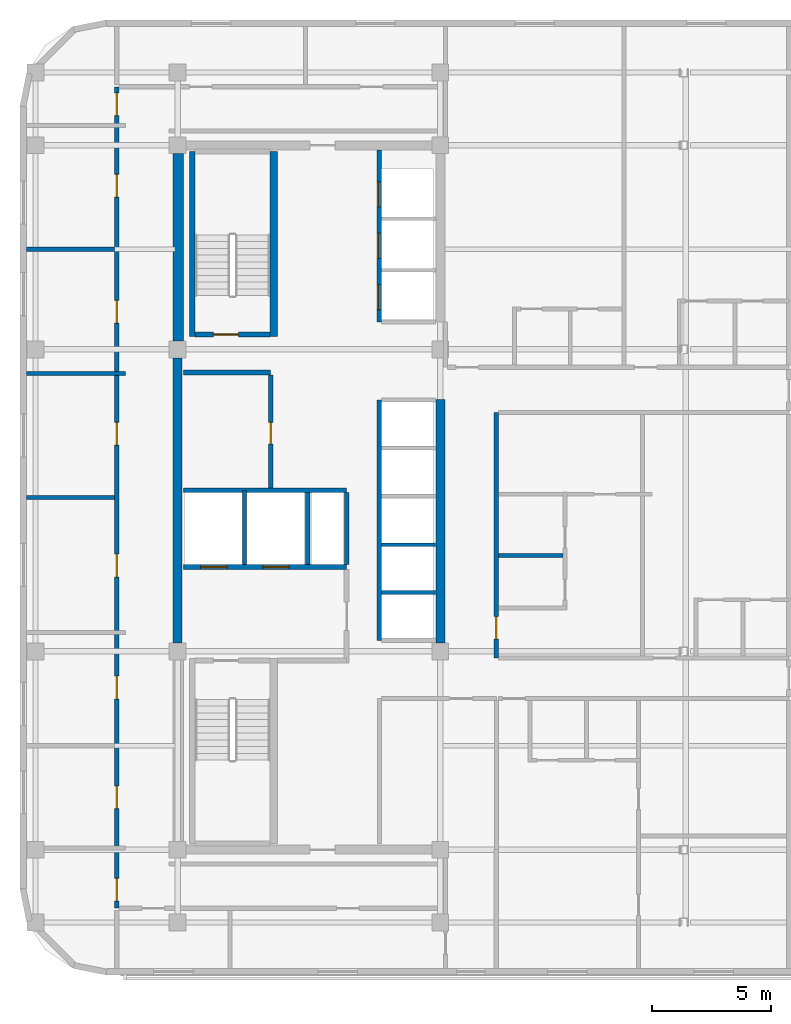
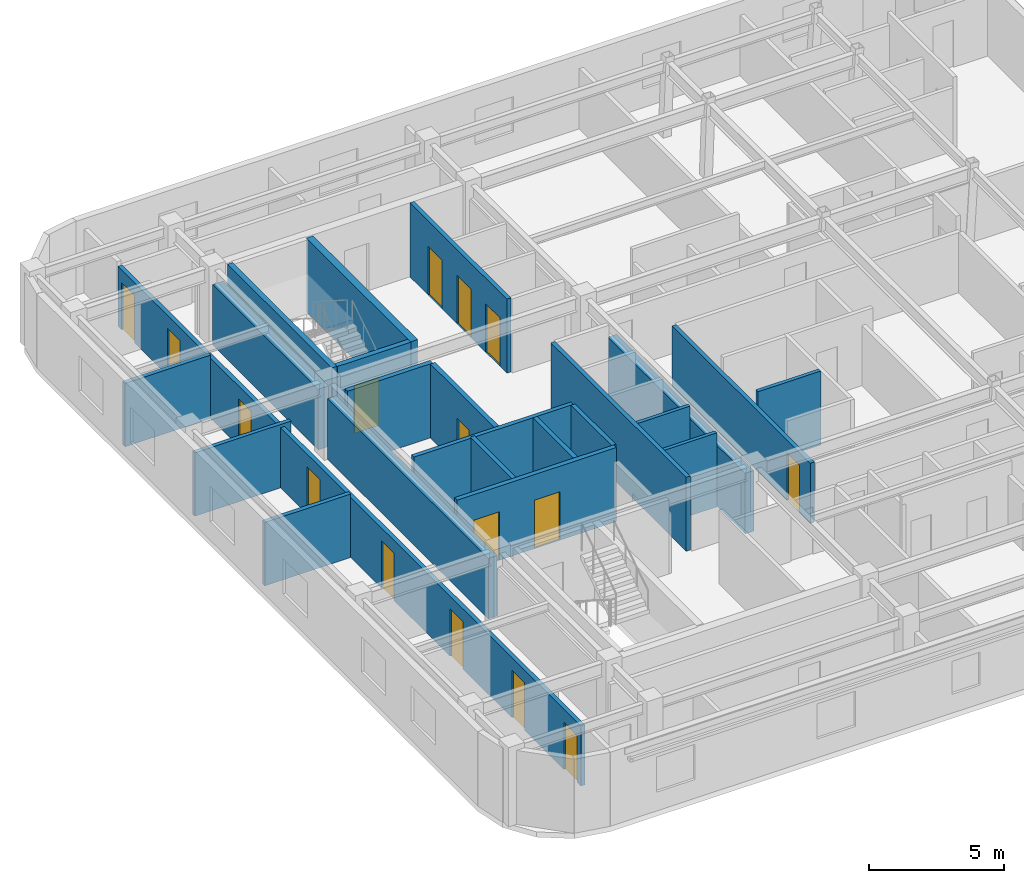
# One storey, part 5 of 11: 23 walls, 16 doors, 16 openings.
"""IFC4 building model written with IfcOpenShell, lengths in metres."""

from ifc_helpers import new_model, si_unit, direction, frame, frame_2d, origin, place, context, subcontext, project, spatial, rectangle, extrude, material, layer, layer_set, type_object, element, fill, save


model = new_model("IFC4")

# Units and contexts
model_context = context("Model", 3, precision=1e-05, world=origin(), true_north=direction((0.0, 1.0)))
body_context = subcontext(model_context, "Body", "Model", "MODEL_VIEW")
ifc_project = project(units=[si_unit("LENGTHUNIT", "METRE"), si_unit("AREAUNIT", "SQUARE_METRE"), si_unit("VOLUMEUNIT", "CUBIC_METRE"), si_unit("PLANEANGLEUNIT", "RADIAN"), si_unit("MASSUNIT", "GRAM", prefix="KILO")], contexts=[model_context])

# Site, building, storey
site_placement = place(None, origin())
site = spatial("IfcSite", under=ifc_project, at=site_placement, CompositionType="ELEMENT")
building_placement = place(site_placement, origin())
building = spatial("IfcBuilding", under=site, at=building_placement, Name="Ochreholt Gables", CompositionType="ELEMENT")
storey_placement = place(building_placement, frame((0.0, 0.0, 155.39990234375)))
storey = spatial("IfcBuildingStorey", under=building, at=storey_placement, Name="L40", CompositionType="ELEMENT", Elevation=155.39990234375)

# Walls
ifc_material_1 = material(Name="Concrete 50 MPa", Category="concrete")
ifc_layer_1 = layer(ifc_material_1, 0.3798828125, Name="Concrete 50 MPa")
ifc_layer_set_1 = layer_set([ifc_layer_1], Name="Concrete 50 MPa")
wall_type_1 = type_object("IfcWallType", Name="WALL-CSW-380", PredefinedType="SHEAR", material=ifc_layer_set_1)
wall_1_placement = place(storey_placement, frame((24.18994140625, 17.89990234375, 0.0), z_axis=(0.0, 0.0, 1.0), x_axis=(0.0, 1.0, 0.0)))
element("IfcWall", 1, at=wall_1_placement, inside=storey, type_object=wall_type_1, Name="L40 Core West Shear Wall WM", PredefinedType="SHEAR", context=body_context, shape_type="SweptSolid", body=[
    extrude(rectangle(XDim=11.9501953125, YDim=0.3798828125, at=frame_2d((5.97509765625, 0.0))), origin(), (0.0, 0.0, 1.0), 2.748046875),
])
wall_2_placement = place(storey_placement, frame((35.2099609375, 17.89990234375, 0.0), z_axis=(0.0, 0.0, 1.0), x_axis=(0.0, 1.0, 0.0)))
element("IfcWall", 2, at=wall_2_placement, inside=storey, type_object=wall_type_1, Name="L40 Core Central-East Shear Wall", PredefinedType="SHEAR", context=body_context, shape_type="SweptSolid", body=[
    extrude(rectangle(XDim=10.2001953125, YDim=0.3798828125, at=frame_2d((5.10009765625, 0.0))), origin(), (0.0, 0.0, 1.0), 2.748046875),
])
ifc_material_2 = material(Name="Concrete 60 MPa", Category="concrete")
ifc_layer_2 = layer(ifc_material_2, 0.449951171875, Name="Concrete 60 MPa")
ifc_layer_set_2 = layer_set([ifc_layer_2], Name="Concrete 60 MPa")
wall_type_2 = type_object("IfcWallType", Name="WALL-CSW-450", PredefinedType="SHEAR", material=ifc_layer_set_2)
wall_3_placement = place(storey_placement, frame((24.22509765625, 30.550048828125, 0.0), z_axis=(0.0, 0.0, 1.0), x_axis=(0.0, 1.0, 0.0)))
element("IfcWall", 3, at=wall_3_placement, inside=storey, type_object=wall_type_2, Name="L40 Core West Shear Wall WN", PredefinedType="SHEAR", context=body_context, shape_type="SweptSolid", body=[
    extrude(rectangle(XDim=7.849853515625, YDim=0.449951171875, at=frame_2d((3.9248046875, 0.0))), origin(), (0.0, 0.0, 1.0), 2.748046875),
])

# Wall, openings, doors
ifc_material_3 = material(Name="Concrete 40 MPa", Category="concrete")
ifc_layer_3 = layer(ifc_material_3, 0.199951171875, Name="Concrete 40 MPa")
ifc_layer_set_3 = layer_set([ifc_layer_3], Name="Concrete 40 MPa")
wall_type_3 = type_object("IfcWallType", Name="WALL-INT-CF200", PredefinedType="STANDARD", material=ifc_layer_set_3)
wall_4_placement = place(storey_placement, frame((24.449951171875, 21.090087890625, 0.0), z_axis=(0.0, 0.0, 1.0), x_axis=(1.0, 0.0, 0.0)))
wall_4 = element("IfcWall", 4, at=wall_4_placement, inside=storey, type_object=wall_type_3, Name="L40 Interior Wall WI-FFN-L40", PredefinedType="STANDARD", context=body_context, shape_type="SweptSolid", body=[
    extrude(rectangle(XDim=6.830078125, YDim=0.199951171875, at=frame_2d((3.4150390625, 0.0))), origin(), (0.0, 0.0, 1.0), 3.360107421875),
])
opening_1_placement = place(wall_4_placement, frame((0.719970703125, 0.0, 0.0)))
opening_1 = element("IfcOpeningElement", 5, at=opening_1_placement, cuts=wall_4, Name="Opening LD-FF", PredefinedType="OPENING", context=body_context, shape_type="SweptSolid", body=[
    extrude(rectangle(XDim=1.10009765625, YDim=2.199951171875, at=frame_2d((0.550048828125, 1.10009765625))), frame((0.0, 0.10986328125, 0.0), z_axis=(0.0, -1.0, 0.0), x_axis=(1.0, 0.0, 0.0)), (0.0, 0.0, 1.0), 0.219970703125),
])
opening_2_placement = place(wall_4_placement, frame((3.320068359375, 0.0, 0.0)))
opening_2 = element("IfcOpeningElement", 6, at=opening_2_placement, cuts=wall_4, Name="Opening LD-FF", PredefinedType="OPENING", context=body_context, shape_type="SweptSolid", body=[
    extrude(rectangle(XDim=1.10009765625, YDim=2.199951171875, at=frame_2d((0.550048828125, 1.10009765625))), frame((0.0, 0.10986328125, 0.0), z_axis=(0.0, -1.0, 0.0), x_axis=(1.0, 0.0, 0.0)), (0.0, 0.0, 1.0), 0.219970703125),
])
ifc_material_4 = material(Name="Stainless Steel", Category="steel")
door_type_1 = type_object("IfcDoorType", Name="DR-LFT-FF1100", OperationType="NOTDEFINED", PredefinedType="DOOR", material=ifc_material_4)
door_1_placement = place(opening_1_placement, origin())
door_1 = element("IfcDoor", 7, at=door_1_placement, inside=storey, type_object=door_type_1, Name="L40 Door LD-FF1-L40", OperationType="SLIDING_TO_LEFT", OverallHeight=2.199951171875, OverallWidth=1.10009765625, PredefinedType="DOOR", context=body_context, shape_type="SweptSolid", body=[
    extrude(rectangle(XDim=1.10009765625, YDim=2.199951171875, at=frame_2d((0.550048828125, 1.10009765625))), frame((0.0, 0.02490234375, 0.0), z_axis=(0.0, -1.0, 0.0), x_axis=(1.0, 0.0, 0.0)), (0.0, 0.0, 1.0), 0.050048828125),
])
fill(opening_1, door_1)
door_2_placement = place(opening_2_placement, origin())
door_2 = element("IfcDoor", 8, at=door_2_placement, inside=storey, type_object=door_type_1, Name="L40 Door LD-FF2-L40", OperationType="SLIDING_TO_LEFT", OverallHeight=2.199951171875, OverallWidth=1.10009765625, PredefinedType="DOOR", context=body_context, shape_type="SweptSolid", body=[
    extrude(rectangle(XDim=1.10009765625, YDim=2.199951171875, at=frame_2d((0.550048828125, 1.10009765625))), frame((0.0, 0.02490234375, 0.0), z_axis=(0.0, -1.0, 0.0), x_axis=(1.0, 0.0, 0.0)), (0.0, 0.0, 1.0), 0.050048828125),
])
fill(opening_2, door_2)

# Wall
wall_5_placement = place(storey_placement, frame((24.449951171875, 29.239990234375, 0.0), z_axis=(0.0, 0.0, 1.0), x_axis=(1.0, 0.0, 0.0)))
element("IfcWall", 9, at=wall_5_placement, inside=storey, type_object=wall_type_3, Name="L40 Interior Wall WI-SRVN-L40", PredefinedType="STANDARD", context=body_context, shape_type="SweptSolid", body=[
    extrude(rectangle(XDim=3.650146484375, YDim=0.199951171875, at=frame_2d((1.8251953125, 0.0))), origin(), (0.0, 0.0, 1.0), 3.360107421875),
])

# Wall, opening, door
wall_6_placement = place(storey_placement, frame((28.10009765625, 24.389892578125, 0.0), z_axis=(0.0, 0.0, 1.0), x_axis=(0.0, 1.0, 0.0)))
wall_6 = element("IfcWall", 10, at=wall_6_placement, inside=storey, type_object=wall_type_3, Name="L40 Interior Wall WI-SRVE-L40", PredefinedType="STANDARD", context=body_context, shape_type="SweptSolid", body=[
    extrude(rectangle(XDim=4.75, YDim=0.199951171875, at=frame_2d((2.375, 0.0))), origin(), (0.0, 0.0, 1.0), 3.360107421875),
])
opening_3_placement = place(wall_6_placement, frame((1.860107421875, 0.0, 0.0)))
opening_3 = element("IfcOpeningElement", 11, at=opening_3_placement, cuts=wall_6, Name="Opening D-SV1", PredefinedType="OPENING", context=body_context, shape_type="SweptSolid", body=[
    extrude(rectangle(XDim=0.89990234375, YDim=2.10009765625, at=frame_2d((0.449951171875, 1.050048828125))), frame((0.0, 0.10986328125, 0.0), z_axis=(0.0, -1.0, 0.0), x_axis=(1.0, 0.0, 0.0)), (0.0, 0.0, 1.0), 0.219970703125),
])
ifc_material_5 = material(Name="Hollow Metal Steel", Category="steel")
door_type_2 = type_object("IfcDoorType", Name="DR-INT-SRV900", OperationType="NOTDEFINED", PredefinedType="DOOR", material=ifc_material_5)
door_3_placement = place(opening_3_placement, origin())
door_3 = element("IfcDoor", 12, at=door_3_placement, inside=storey, type_object=door_type_2, Name="L40 Door D-SRV1-L40", OperationType="SINGLE_SWING_LEFT", OverallHeight=2.10009765625, OverallWidth=0.89990234375, PredefinedType="DOOR", context=body_context, shape_type="SweptSolid", body=[
    extrude(rectangle(XDim=0.89990234375, YDim=2.10009765625, at=frame_2d((0.449951171875, 1.050048828125))), frame((0.0, 0.02490234375, 0.0), z_axis=(0.0, -1.0, 0.0), x_axis=(1.0, 0.0, 0.0)), (0.0, 0.0, 1.0), 0.050048828125),
])
fill(opening_3, door_3)

ifc_material_6 = material(Name="Fire-Rated Gypsum Acoustic Partition", Category="gypsum")
ifc_layer_4 = layer(ifc_material_6, 0.179931640625, Name="Fire-Rated Gypsum Acoustic Partition")
ifc_layer_set_4 = layer_set([ifc_layer_4], Name="Fire-Rated Gypsum Acoustic Partition")
wall_type_4 = type_object("IfcWallType", Name="WALL-INT-CR180", PredefinedType="STANDARD", material=ifc_layer_set_4)
wall_7_placement = place(storey_placement, frame((37.550048828125, 17.280029296875, 0.0), z_axis=(0.0, 0.0, 1.0), x_axis=(0.0, 1.0, 0.0)))
wall_7 = element("IfcWall", 13, at=wall_7_placement, inside=storey, type_object=wall_type_4, Name="L40 Interior Wall WI-C2EM-L40", PredefinedType="STANDARD", context=body_context, shape_type="SweptSolid", body=[
    extrude(rectangle(XDim=10.280029296875, YDim=0.179931640625, at=frame_2d((5.14013671875, 0.0))), origin(), (0.0, 0.0, 1.0), 2.72998046875),
])
opening_4_placement = place(wall_7_placement, frame((0.79296875, 0.0, 0.0)))
opening_4 = element("IfcOpeningElement", 14, at=opening_4_placement, cuts=wall_7, Name="Opening D-UN2", PredefinedType="OPENING", context=body_context, shape_type="SweptSolid", body=[
    extrude(rectangle(XDim=0.93994140625, YDim=2.14990234375, at=frame_2d((0.469970703125, 1.074951171875))), frame((0.0, 0.099853515625, 0.0), z_axis=(0.0, -1.0, 0.0), x_axis=(1.0, 0.0, 0.0)), (0.0, 0.0, 1.0), 0.199951171875),
])
ifc_material_7 = material(Name="Engineered Oak Timber", Category="wood")
door_type_3 = type_object("IfcDoorType", Name="DR-INT-UNT940", OperationType="NOTDEFINED", PredefinedType="DOOR", material=ifc_material_7)
door_4_placement = place(opening_4_placement, origin())
door_4 = element("IfcDoor", 15, at=door_4_placement, inside=storey, type_object=door_type_3, Name="L40 Door D-U-L40M1-ENT", OperationType="SINGLE_SWING_LEFT", OverallHeight=2.14990234375, OverallWidth=0.93994140625, PredefinedType="DOOR", context=body_context, shape_type="SweptSolid", body=[
    extrude(rectangle(XDim=0.93994140625, YDim=2.14990234375, at=frame_2d((0.469970703125, 1.074951171875))), frame((0.0, 0.02490234375, 0.0), z_axis=(0.0, -1.0, 0.0), x_axis=(1.0, 0.0, 0.0)), (0.0, 0.0, 1.0), 0.050048828125),
])
fill(opening_4, door_4)

# Wall, openings, doors
wall_8_placement = place(storey_placement, frame((21.64990234375, 6.800048828125, 0.0), z_axis=(0.0, 0.0, 1.0), x_axis=(0.0, 1.0, 0.0)))
wall_8 = element("IfcWall", 16, at=wall_8_placement, inside=storey, type_object=wall_type_4, Name="L40 Interior Wall WI-C2WCW-L40", PredefinedType="STANDARD", context=body_context, shape_type="SweptSolid", body=[
    extrude(rectangle(XDim=34.39990234375, YDim=0.179931640625, at=frame_2d((17.199951171875, 0.0))), origin(), (0.0, 0.0, 1.0), 2.72998046875),
])
opening_5_placement = place(wall_8_placement, frame((0.300048828125, 0.0, 0.0)))
opening_5 = element("IfcOpeningElement", 17, at=opening_5_placement, cuts=wall_8, Name="Opening D-GN1", PredefinedType="OPENING", context=body_context, shape_type="SweptSolid", body=[
    extrude(rectangle(XDim=0.949951171875, YDim=2.14990234375, at=frame_2d((0.47509765625, 1.074951171875))), frame((0.0, 0.099853515625, 0.0), z_axis=(0.0, -1.0, 0.0), x_axis=(1.0, 0.0, 0.0)), (0.0, 0.0, 1.0), 0.199951171875),
])
opening_6_placement = place(wall_8_placement, frame((4.16748046875, 0.0, 0.0)))
opening_6 = element("IfcOpeningElement", 18, at=opening_6_placement, cuts=wall_8, Name="Opening D-GN1", PredefinedType="OPENING", context=body_context, shape_type="SweptSolid", body=[
    extrude(rectangle(XDim=0.949951171875, YDim=2.14990234375, at=frame_2d((0.47509765625, 1.074951171875))), frame((0.0, 0.099853515625, 0.0), z_axis=(0.0, -1.0, 0.0), x_axis=(1.0, 0.0, 0.0)), (0.0, 0.0, 1.0), 0.199951171875),
])
opening_7_placement = place(wall_8_placement, frame((8.77001953125, 0.0, 0.0)))
opening_7 = element("IfcOpeningElement", 19, at=opening_7_placement, cuts=wall_8, Name="Opening D-GN1", PredefinedType="OPENING", context=body_context, shape_type="SweptSolid", body=[
    extrude(rectangle(XDim=0.949951171875, YDim=2.14990234375, at=frame_2d((0.47509765625, 1.074951171875))), frame((0.0, 0.099853515625, 0.0), z_axis=(0.0, -1.0, 0.0), x_axis=(1.0, 0.0, 0.0)), (0.0, 0.0, 1.0), 0.199951171875),
])
opening_8_placement = place(wall_8_placement, frame((13.8798828125, 0.0, 0.0)))
opening_8 = element("IfcOpeningElement", 20, at=opening_8_placement, cuts=wall_8, Name="Opening D-GN1", PredefinedType="OPENING", context=body_context, shape_type="SweptSolid", body=[
    extrude(rectangle(XDim=0.949951171875, YDim=2.14990234375, at=frame_2d((0.47509765625, 1.074951171875))), frame((0.0, 0.099853515625, 0.0), z_axis=(0.0, -1.0, 0.0), x_axis=(1.0, 0.0, 0.0)), (0.0, 0.0, 1.0), 0.199951171875),
])
opening_9_placement = place(wall_8_placement, frame((19.39501953125, 0.0, 0.0)))
opening_9 = element("IfcOpeningElement", 21, at=opening_9_placement, cuts=wall_8, Name="Opening D-GN1", PredefinedType="OPENING", context=body_context, shape_type="SweptSolid", body=[
    extrude(rectangle(XDim=0.949951171875, YDim=2.14990234375, at=frame_2d((0.47509765625, 1.074951171875))), frame((0.0, 0.099853515625, 0.0), z_axis=(0.0, -1.0, 0.0), x_axis=(1.0, 0.0, 0.0)), (0.0, 0.0, 1.0), 0.199951171875),
])
opening_10_placement = place(wall_8_placement, frame((24.5048828125, 0.0, 0.0)))
opening_10 = element("IfcOpeningElement", 22, at=opening_10_placement, cuts=wall_8, Name="Opening D-GN1", PredefinedType="OPENING", context=body_context, shape_type="SweptSolid", body=[
    extrude(rectangle(XDim=0.949951171875, YDim=2.14990234375, at=frame_2d((0.47509765625, 1.074951171875))), frame((0.0, 0.099853515625, 0.0), z_axis=(0.0, -1.0, 0.0), x_axis=(1.0, 0.0, 0.0)), (0.0, 0.0, 1.0), 0.199951171875),
])
opening_11_placement = place(wall_8_placement, frame((29.782470703125, 0.0, 0.0)))
opening_11 = element("IfcOpeningElement", 23, at=opening_11_placement, cuts=wall_8, Name="Opening D-GN1", PredefinedType="OPENING", context=body_context, shape_type="SweptSolid", body=[
    extrude(rectangle(XDim=0.949951171875, YDim=2.14990234375, at=frame_2d((0.47509765625, 1.074951171875))), frame((0.0, 0.099853515625, 0.0), z_axis=(0.0, -1.0, 0.0), x_axis=(1.0, 0.0, 0.0)), (0.0, 0.0, 1.0), 0.199951171875),
])
opening_12_placement = place(wall_8_placement, frame((33.18994140625, 0.0, 0.0)))
opening_12 = element("IfcOpeningElement", 24, at=opening_12_placement, cuts=wall_8, Name="Opening D-GN1", PredefinedType="OPENING", context=body_context, shape_type="SweptSolid", body=[
    extrude(rectangle(XDim=0.949951171875, YDim=2.14990234375, at=frame_2d((0.47509765625, 1.074951171875))), frame((0.0, 0.099853515625, 0.0), z_axis=(0.0, -1.0, 0.0), x_axis=(1.0, 0.0, 0.0)), (0.0, 0.0, 1.0), 0.199951171875),
])
door_type_4 = type_object("IfcDoorType", Name="DR-INT-GEN950", OperationType="NOTDEFINED", PredefinedType="DOOR", material=ifc_material_7)
door_5_placement = place(opening_5_placement, origin())
door_5 = element("IfcDoor", 25, at=door_5_placement, inside=storey, type_object=door_type_4, Name="L40 Door D-U-L40W1A-ENT", OperationType="SINGLE_SWING_LEFT", OverallHeight=2.14990234375, OverallWidth=0.949951171875, PredefinedType="DOOR", context=body_context, shape_type="SweptSolid", body=[
    extrude(rectangle(XDim=0.949951171875, YDim=2.14990234375, at=frame_2d((0.47509765625, 1.074951171875))), frame((0.0, 0.02490234375, 0.0), z_axis=(0.0, -1.0, 0.0), x_axis=(1.0, 0.0, 0.0)), (0.0, 0.0, 1.0), 0.050048828125),
])
fill(opening_5, door_5)
door_6_placement = place(opening_6_placement, origin())
door_6 = element("IfcDoor", 26, at=door_6_placement, inside=storey, type_object=door_type_4, Name="L40 Door D-U-L40W1B-ENT", OperationType="SINGLE_SWING_RIGHT", OverallHeight=2.14990234375, OverallWidth=0.949951171875, PredefinedType="DOOR", context=body_context, shape_type="SweptSolid", body=[
    extrude(rectangle(XDim=0.949951171875, YDim=2.14990234375, at=frame_2d((0.47509765625, 1.074951171875))), frame((0.0, 0.02490234375, 0.0), z_axis=(0.0, -1.0, 0.0), x_axis=(1.0, 0.0, 0.0)), (0.0, 0.0, 1.0), 0.050048828125),
])
fill(opening_6, door_6)
door_7_placement = place(opening_7_placement, origin())
door_7 = element("IfcDoor", 27, at=door_7_placement, inside=storey, type_object=door_type_4, Name="L40 Door D-U-L40W2A-ENT", OperationType="SINGLE_SWING_RIGHT", OverallHeight=2.14990234375, OverallWidth=0.949951171875, PredefinedType="DOOR", context=body_context, shape_type="SweptSolid", body=[
    extrude(rectangle(XDim=0.949951171875, YDim=2.14990234375, at=frame_2d((0.47509765625, 1.074951171875))), frame((0.0, 0.02490234375, 0.0), z_axis=(0.0, -1.0, 0.0), x_axis=(1.0, 0.0, 0.0)), (0.0, 0.0, 1.0), 0.050048828125),
])
fill(opening_7, door_7)
door_8_placement = place(opening_8_placement, origin())
door_8 = element("IfcDoor", 28, at=door_8_placement, inside=storey, type_object=door_type_4, Name="L40 Door D-U-L40W2B-ENT", OperationType="SINGLE_SWING_LEFT", OverallHeight=2.14990234375, OverallWidth=0.949951171875, PredefinedType="DOOR", context=body_context, shape_type="SweptSolid", body=[
    extrude(rectangle(XDim=0.949951171875, YDim=2.14990234375, at=frame_2d((0.47509765625, 1.074951171875))), frame((0.0, 0.02490234375, 0.0), z_axis=(0.0, -1.0, 0.0), x_axis=(1.0, 0.0, 0.0)), (0.0, 0.0, 1.0), 0.050048828125),
])
fill(opening_8, door_8)
door_9_placement = place(opening_9_placement, origin())
door_9 = element("IfcDoor", 29, at=door_9_placement, inside=storey, type_object=door_type_4, Name="L40 Door D-U-L40W3A-ENT", OperationType="SINGLE_SWING_LEFT", OverallHeight=2.14990234375, OverallWidth=0.949951171875, PredefinedType="DOOR", context=body_context, shape_type="SweptSolid", body=[
    extrude(rectangle(XDim=0.949951171875, YDim=2.14990234375, at=frame_2d((0.47509765625, 1.074951171875))), frame((0.0, 0.02490234375, 0.0), z_axis=(0.0, -1.0, 0.0), x_axis=(1.0, 0.0, 0.0)), (0.0, 0.0, 1.0), 0.050048828125),
])
fill(opening_9, door_9)
door_10_placement = place(opening_10_placement, origin())
door_10 = element("IfcDoor", 30, at=door_10_placement, inside=storey, type_object=door_type_4, Name="L40 Door D-U-L40W3B-ENT", OperationType="SINGLE_SWING_RIGHT", OverallHeight=2.14990234375, OverallWidth=0.949951171875, PredefinedType="DOOR", context=body_context, shape_type="SweptSolid", body=[
    extrude(rectangle(XDim=0.949951171875, YDim=2.14990234375, at=frame_2d((0.47509765625, 1.074951171875))), frame((0.0, 0.02490234375, 0.0), z_axis=(0.0, -1.0, 0.0), x_axis=(1.0, 0.0, 0.0)), (0.0, 0.0, 1.0), 0.050048828125),
])
fill(opening_10, door_10)
door_11_placement = place(opening_11_placement, origin())
door_11 = element("IfcDoor", 31, at=door_11_placement, inside=storey, type_object=door_type_4, Name="L40 Door D-U-L40W4A-ENT", OperationType="SINGLE_SWING_RIGHT", OverallHeight=2.14990234375, OverallWidth=0.949951171875, PredefinedType="DOOR", context=body_context, shape_type="SweptSolid", body=[
    extrude(rectangle(XDim=0.949951171875, YDim=2.14990234375, at=frame_2d((0.47509765625, 1.074951171875))), frame((0.0, 0.02490234375, 0.0), z_axis=(0.0, -1.0, 0.0), x_axis=(1.0, 0.0, 0.0)), (0.0, 0.0, 1.0), 0.050048828125),
])
fill(opening_11, door_11)
door_12_placement = place(opening_12_placement, origin())
door_12 = element("IfcDoor", 32, at=door_12_placement, inside=storey, type_object=door_type_4, Name="L40 Door D-U-L40W4B-ENT", OperationType="SINGLE_SWING_LEFT", OverallHeight=2.14990234375, OverallWidth=0.949951171875, PredefinedType="DOOR", context=body_context, shape_type="SweptSolid", body=[
    extrude(rectangle(XDim=0.949951171875, YDim=2.14990234375, at=frame_2d((0.47509765625, 1.074951171875))), frame((0.0, 0.02490234375, 0.0), z_axis=(0.0, -1.0, 0.0), x_axis=(1.0, 0.0, 0.0)), (0.0, 0.0, 1.0), 0.050048828125),
])
fill(opening_12, door_12)

# Walls
ifc_material_8 = material(Name="Double-Stud Acoustic Demising Wall", Category="gypsum")
ifc_layer_5 = layer(ifc_material_8, 0.179931640625, Name="Double-Stud Acoustic Demising Wall")
ifc_layer_set_5 = layer_set([ifc_layer_5], Name="Double-Stud Acoustic Demising Wall")
wall_type_5 = type_object("IfcWallType", Name="WALL-INT-DM180", PredefinedType="PARTITIONING", material=ifc_layer_set_5)
for number, where, z_axis, x_axis, name in (
    (33, (17.8798828125, 24.0, 0.0), (0.0, 0.0, 1.0), (1.0, 0.0, 0.0), "L40 Interior Wall WI-C2UDW3-L40"),
    (34, (17.8798828125, 34.39990234375, 0.0), (0.0, 0.0, 1.0), (1.0, 0.0, 0.0), "L40 Interior Wall WI-C2UDW4-L40"),
):
    element("IfcWall", number, at=place(storey_placement, frame(where, z_axis=z_axis, x_axis=x_axis)), inside=storey, type_object=wall_type_5, Name=name, PredefinedType="PARTITIONING", context=body_context, shape_type="SweptSolid", body=[
        extrude(rectangle(XDim=3.68017578125, YDim=0.179931640625, at=frame_2d((1.840087890625, 0.0))), origin(), (0.0, 0.0, 1.0), 2.879150390625),
    ])
ifc_material_9 = material(Name="Moisture-Resistant Plumbing Chase Wall", Category="gypsum")
ifc_layer_6 = layer(ifc_material_9, 0.159912109375, Name="Moisture-Resistant Plumbing Chase Wall")
ifc_layer_set_6 = layer_set([ifc_layer_6], Name="Moisture-Resistant Plumbing Chase Wall")
wall_type_6 = type_object("IfcWallType", Name="WALL-INT-PL160", PredefinedType="PLUMBINGWALL", material=ifc_layer_set_6)
wall_9_placement = place(storey_placement, frame((37.639892578125, 21.564453125, 0.0), z_axis=(0.0, 0.0, 1.0), x_axis=(1.0, 0.0, 0.0)))
element("IfcWall", 35, at=wall_9_placement, inside=storey, type_object=wall_type_6, Name="L40 Interior Wall WU-L40M1-WK", PredefinedType="PLUMBINGWALL", context=body_context, shape_type="SweptSolid", body=[
    extrude(rectangle(XDim=2.7041015625, YDim=0.159912109375, at=frame_2d((1.35205078125, 0.0))), origin(), (0.0, 0.0, 1.0), 3.360107421875),
])
ifc_material_10 = material(Name="Gypsum Acoustic Stud Partition", Category="gypsum")
ifc_layer_7 = layer(ifc_material_10, 0.1650390625, Name="Gypsum Acoustic Stud Partition")
ifc_layer_set_7 = layer_set([ifc_layer_7], Name="Gypsum Acoustic Stud Partition")
wall_type_7 = type_object("IfcWallType", Name="WALL-INT-PT165", PredefinedType="PARTITIONING", material=ifc_layer_set_7)
wall_10_placement = place(storey_placement, frame((17.8798828125, 29.199951171875, 0.0), z_axis=(0.0, 0.0, 1.0), x_axis=(1.0, 0.0, 0.0)))
element("IfcWall", 36, at=wall_10_placement, inside=storey, type_object=wall_type_7, Name="L40 Interior Wall WU-L40W3-SDV", PredefinedType="PARTITIONING", context=body_context, shape_type="SweptSolid", body=[
    extrude(rectangle(XDim=4.130126953125, YDim=0.1650390625, at=frame_2d((2.06494140625, 0.0))), origin(), (0.0, 0.0, 1.0), 2.879150390625),
])
ifc_material_11 = material(Name="Gypsum Shaftliner and Steel Stud", Category="steel")
ifc_layer_8 = layer(ifc_material_11, 0.14990234375, Name="Gypsum Shaftliner and Steel Stud")
ifc_layer_set_8 = layer_set([ifc_layer_8], Name="Gypsum Shaftliner and Steel Stud")
wall_type_8 = type_object("IfcWallType", Name="WALL-INT-SH150", PredefinedType="STANDARD", material=ifc_layer_set_8)
for number, where, z_axis, x_axis, name in (
    (37, (32.739990234375, 20.02001953125, 0.0), (0.0, 0.0, 1.0), (1.0, 0.0, 0.0), "L40 Interior Wall WI-LFHE-DH1-L40"),
    (38, (32.739990234375, 22.02001953125, 0.0), (0.0, 0.0, 1.0), (1.0, 0.0, 0.0), "L40 Interior Wall WI-LFHE-DH2-L40"),
):
    element("IfcWall", number, at=place(storey_placement, frame(where, z_axis=z_axis, x_axis=x_axis)), inside=storey, type_object=wall_type_8, Name=name, PredefinedType="STANDARD", context=body_context, shape_type="SweptSolid", body=[
        extrude(rectangle(XDim=2.260009765625, YDim=0.14990234375, at=frame_2d((1.1298828125, 0.0))), origin(), (0.0, 0.0, 1.0), 3.360107421875),
    ])
ifc_layer_9 = layer(ifc_material_11, 0.179931640625, Name="Gypsum Shaftliner and Steel Stud")
ifc_layer_set_9 = layer_set([ifc_layer_9], Name="Gypsum Shaftliner and Steel Stud")
wall_type_9 = type_object("IfcWallType", Name="WALL-INT-SH180", PredefinedType="STANDARD", material=ifc_layer_set_9)
wall_11_placement = place(storey_placement, frame((27.0, 21.18994140625, 0.0), z_axis=(0.0, 0.0, 1.0), x_axis=(0.0, 1.0, 0.0)))
element("IfcWall", 39, at=wall_11_placement, inside=storey, type_object=wall_type_9, Name="L40 Interior Wall WI-FFDIV-L40", PredefinedType="STANDARD", context=body_context, shape_type="SweptSolid", body=[
    extrude(rectangle(XDim=3.110107421875, YDim=0.179931640625, at=frame_2d((1.55517578125, 0.0))), origin(), (0.0, 0.0, 1.0), 3.360107421875),
])
wall_12_placement = place(storey_placement, frame((24.449951171875, 24.300048828125, 0.0), z_axis=(0.0, 0.0, 1.0), x_axis=(1.0, 0.0, 0.0)))
element("IfcWall", 40, at=wall_12_placement, inside=storey, type_object=wall_type_9, Name="L40 Interior Wall WI-FFBK-L40", PredefinedType="STANDARD", context=body_context, shape_type="SweptSolid", body=[
    extrude(rectangle(XDim=6.830078125, YDim=0.179931640625, at=frame_2d((3.4150390625, 0.0))), origin(), (0.0, 0.0, 1.0), 3.360107421875),
])
for number, where, z_axis, x_axis, name in (
    (41, (29.64990234375, 21.18994140625, 0.0), (0.0, 0.0, 1.0), (0.0, 1.0, 0.0), "L40 Interior Wall WI-FFSH-L40"),
    (42, (31.280029296875, 21.18994140625, 0.0), (0.0, 0.0, 1.0), (0.0, 1.0, 0.0), "L40 Interior Wall WI-RSE-L40"),
):
    element("IfcWall", number, at=place(storey_placement, frame(where, z_axis=z_axis, x_axis=x_axis)), inside=storey, type_object=wall_type_9, Name=name, PredefinedType="STANDARD", context=body_context, shape_type="SweptSolid", body=[
        extrude(rectangle(XDim=3.02001953125, YDim=0.179931640625, at=frame_2d((1.510009765625, 0.0))), origin(), (0.0, 0.0, 1.0), 3.360107421875),
    ])
wall_13_placement = place(storey_placement, frame((32.64990234375, 18.02001953125, 0.0), z_axis=(0.0, 0.0, 1.0), x_axis=(0.0, 1.0, 0.0)))
element("IfcWall", 43, at=wall_13_placement, inside=storey, type_object=wall_type_9, Name="L40 Interior Wall WI-LFHE-FR-L40", PredefinedType="STANDARD", context=body_context, shape_type="SweptSolid", body=[
    extrude(rectangle(XDim=10.06005859375, YDim=0.179931640625, at=frame_2d((5.030029296875, 0.0))), origin(), (0.0, 0.0, 1.0), 3.360107421875),
])

# Wall, openings, doors
wall_14_placement = place(storey_placement, frame((32.64990234375, 31.35009765625, 0.0), z_axis=(0.0, 0.0, 1.0), x_axis=(0.0, 1.0, 0.0)))
wall_14 = element("IfcWall", 44, at=wall_14_placement, inside=storey, type_object=wall_type_9, Name="L40 Interior Wall WI-LFM-FR-L40", PredefinedType="STANDARD", context=body_context, shape_type="SweptSolid", body=[
    extrude(rectangle(XDim=7.2099609375, YDim=0.179931640625, at=frame_2d((3.60498046875, 0.0))), origin(), (0.0, 0.0, 1.0), 3.360107421875),
])
opening_13_placement = place(wall_14_placement, frame((0.52001953125, 0.0, 0.0)))
opening_13 = element("IfcOpeningElement", 45, at=opening_13_placement, cuts=wall_14, Name="Opening LD-PX", PredefinedType="OPENING", context=body_context, shape_type="SweptSolid", body=[
    extrude(rectangle(XDim=1.050048828125, YDim=2.199951171875, at=frame_2d((0.52490234375, 1.10009765625))), frame((0.0, 0.099853515625, 0.0), z_axis=(0.0, -1.0, 0.0), x_axis=(1.0, 0.0, 0.0)), (0.0, 0.0, 1.0), 0.199951171875),
])
opening_14_placement = place(wall_14_placement, frame((2.669921875, 0.0, 0.0)))
opening_14 = element("IfcOpeningElement", 46, at=opening_14_placement, cuts=wall_14, Name="Opening LD-PX", PredefinedType="OPENING", context=body_context, shape_type="SweptSolid", body=[
    extrude(rectangle(XDim=1.050048828125, YDim=2.199951171875, at=frame_2d((0.52490234375, 1.10009765625))), frame((0.0, 0.099853515625, 0.0), z_axis=(0.0, -1.0, 0.0), x_axis=(1.0, 0.0, 0.0)), (0.0, 0.0, 1.0), 0.199951171875),
])
opening_15_placement = place(wall_14_placement, frame((4.820068359375, 0.0, 0.0)))
opening_15 = element("IfcOpeningElement", 47, at=opening_15_placement, cuts=wall_14, Name="Opening LD-PX", PredefinedType="OPENING", context=body_context, shape_type="SweptSolid", body=[
    extrude(rectangle(XDim=1.050048828125, YDim=2.199951171875, at=frame_2d((0.52490234375, 1.10009765625))), frame((0.0, 0.099853515625, 0.0), z_axis=(0.0, -1.0, 0.0), x_axis=(1.0, 0.0, 0.0)), (0.0, 0.0, 1.0), 0.199951171875),
])
door_type_5 = type_object("IfcDoorType", Name="DR-LFT-PX1050", OperationType="NOTDEFINED", PredefinedType="DOOR", material=ifc_material_4)
door_13_placement = place(opening_13_placement, origin())
door_13 = element("IfcDoor", 48, at=door_13_placement, inside=storey, type_object=door_type_5, Name="L40 Door LD-M1-L40", OperationType="SLIDING_TO_LEFT", OverallHeight=2.199951171875, OverallWidth=1.050048828125, PredefinedType="DOOR", context=body_context, shape_type="SweptSolid", body=[
    extrude(rectangle(XDim=1.050048828125, YDim=2.199951171875, at=frame_2d((0.52490234375, 1.10009765625))), frame((0.0, 0.02490234375, 0.0), z_axis=(0.0, -1.0, 0.0), x_axis=(1.0, 0.0, 0.0)), (0.0, 0.0, 1.0), 0.050048828125),
])
fill(opening_13, door_13)
door_14_placement = place(opening_14_placement, origin())
door_14 = element("IfcDoor", 49, at=door_14_placement, inside=storey, type_object=door_type_5, Name="L40 Door LD-M2-L40", OperationType="SLIDING_TO_LEFT", OverallHeight=2.199951171875, OverallWidth=1.050048828125, PredefinedType="DOOR", context=body_context, shape_type="SweptSolid", body=[
    extrude(rectangle(XDim=1.050048828125, YDim=2.199951171875, at=frame_2d((0.52490234375, 1.10009765625))), frame((0.0, 0.02490234375, 0.0), z_axis=(0.0, -1.0, 0.0), x_axis=(1.0, 0.0, 0.0)), (0.0, 0.0, 1.0), 0.050048828125),
])
fill(opening_14, door_14)
door_15_placement = place(opening_15_placement, origin())
door_15 = element("IfcDoor", 50, at=door_15_placement, inside=storey, type_object=door_type_5, Name="L40 Door LD-M3-L40", OperationType="SLIDING_TO_LEFT", OverallHeight=2.199951171875, OverallWidth=1.050048828125, PredefinedType="DOOR", context=body_context, shape_type="SweptSolid", body=[
    extrude(rectangle(XDim=1.050048828125, YDim=2.199951171875, at=frame_2d((0.52490234375, 1.10009765625))), frame((0.0, 0.02490234375, 0.0), z_axis=(0.0, -1.0, 0.0), x_axis=(1.0, 0.0, 0.0)), (0.0, 0.0, 1.0), 0.050048828125),
])
fill(opening_15, door_15)

# Walls
ifc_layer_10 = layer(ifc_material_2, 0.300048828125, Name="Concrete 60 MPa")
ifc_layer_set_10 = layer_set([ifc_layer_10], Name="Concrete 60 MPa")
wall_type_10 = type_object("IfcWallType", Name="WALL-SPN-300", PredefinedType="SHEAR", material=ifc_layer_set_10)
wall_15_placement = place(storey_placement, frame((28.22998046875, 30.739990234375, 0.0), z_axis=(0.0, 0.0, 1.0), x_axis=(0.0, 1.0, 0.0)))
element("IfcWall", 51, at=wall_15_placement, inside=storey, type_object=wall_type_10, Name="L40 Core North Spine Shear Wall", PredefinedType="SHEAR", context=body_context, shape_type="SweptSolid", body=[
    extrude(rectangle(XDim=7.760009765625, YDim=0.300048828125, at=frame_2d((3.8798828125, 0.0))), origin(), (0.0, 0.0, 1.0), 3.360107421875),
])
ifc_layer_11 = layer(ifc_material_1, 0.219970703125, Name="Concrete 50 MPa")
ifc_layer_set_11 = layer_set([ifc_layer_11], Name="Concrete 50 MPa")
wall_type_11 = type_object("IfcWallType", Name="WALL-STW-220", PredefinedType="SHEAR", material=ifc_layer_set_11)
wall_16_placement = place(storey_placement, frame((24.81005859375, 30.739990234375, 0.0), z_axis=(0.0, 0.0, 1.0), x_axis=(0.0, 1.0, 0.0)))
element("IfcWall", 52, at=wall_16_placement, inside=storey, type_object=wall_type_11, Name="L40 Exit Stair 2 West Wall", PredefinedType="SHEAR", context=body_context, shape_type="SweptSolid", body=[
    extrude(rectangle(XDim=7.760009765625, YDim=0.219970703125, at=frame_2d((3.8798828125, 0.0))), origin(), (0.0, 0.0, 1.0), 3.360107421875),
])

# Wall, opening, door
wall_17_placement = place(storey_placement, frame((24.919921875, 30.830078125, 0.0), z_axis=(0.0, 0.0, 1.0), x_axis=(1.0, 0.0, 0.0)))
wall_17 = element("IfcWall", 53, at=wall_17_placement, inside=storey, type_object=wall_type_11, Name="L40 Exit Stair 2 South Wall", PredefinedType="SHEAR", context=body_context, shape_type="SweptSolid", body=[
    extrude(rectangle(XDim=3.16015625, YDim=0.219970703125, at=frame_2d((1.580078125, 0.0))), origin(), (0.0, 0.0, 1.0), 3.360107421875),
])
opening_16_placement = place(wall_17_placement, frame((0.780029296875, 0.0, 0.0)))
opening_16 = element("IfcOpeningElement", 54, at=opening_16_placement, cuts=wall_17, Name="Opening D-STC", PredefinedType="OPENING", context=body_context, shape_type="SweptSolid", body=[
    extrude(rectangle(XDim=1.050048828125, YDim=2.14990234375, at=frame_2d((0.52490234375, 1.074951171875))), frame((0.0, 0.119873046875, 0.0), z_axis=(0.0, -1.0, 0.0), x_axis=(1.0, 0.0, 0.0)), (0.0, 0.0, 1.0), 0.239990234375),
])
door_type_6 = type_object("IfcDoorType", Name="DR-INT-ST1050", OperationType="NOTDEFINED", PredefinedType="DOOR", material=ifc_material_5)
door_16_placement = place(opening_16_placement, origin())
door_16 = element("IfcDoor", 55, at=door_16_placement, inside=storey, type_object=door_type_6, Name="L40 Door D-ST2-L40", OperationType="SINGLE_SWING_RIGHT", OverallHeight=2.14990234375, OverallWidth=1.050048828125, PredefinedType="DOOR", context=body_context, shape_type="SweptSolid", body=[
    extrude(rectangle(XDim=1.050048828125, YDim=2.14990234375, at=frame_2d((0.52490234375, 1.074951171875))), frame((0.0, 0.02490234375, 0.0), z_axis=(0.0, -1.0, 0.0), x_axis=(1.0, 0.0, 0.0)), (0.0, 0.0, 1.0), 0.050048828125),
])
fill(opening_16, door_16)

save(model, "model.ifc")
